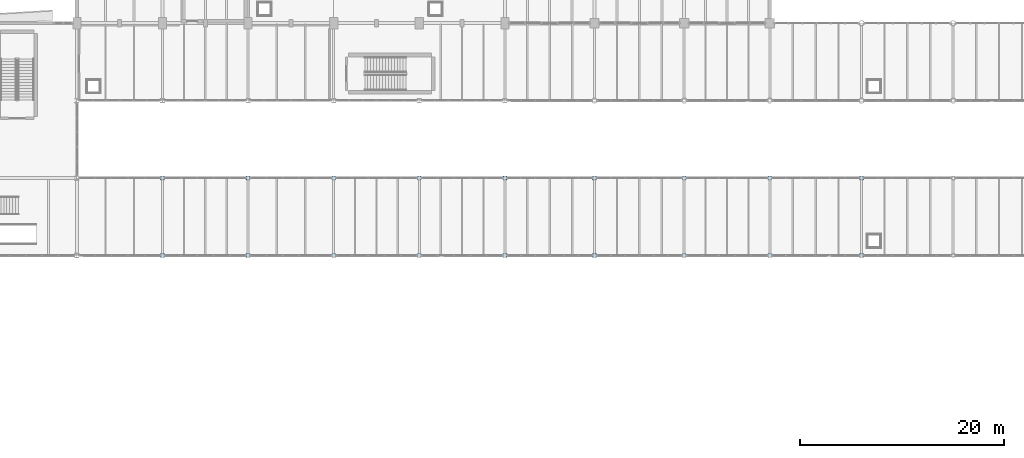
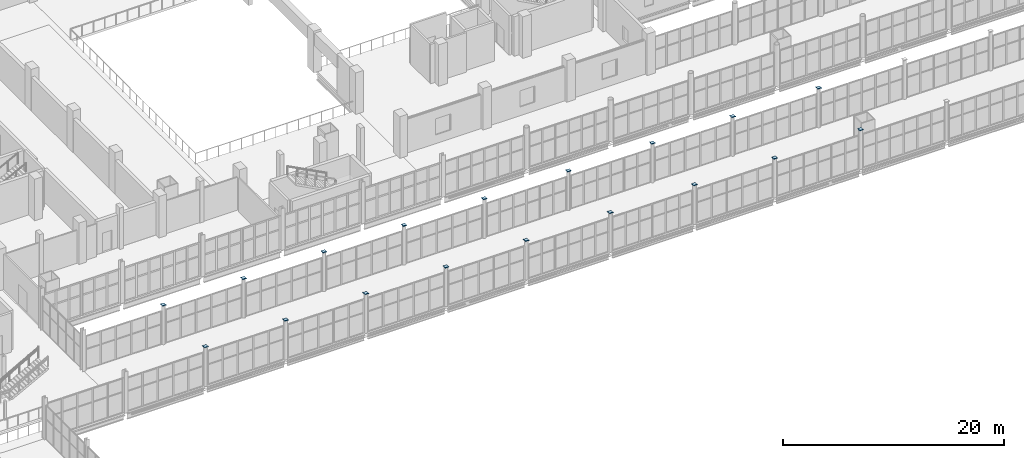
# One storey, part 144 of 172: 18 plates.
"""IFC4 building model written with IfcOpenShell, lengths in metres."""

from ifc_helpers import new_model, si_unit, direction, frame, origin, origin_2d, place, context, subcontext, project, spatial, rectangle, extrude, material, layer, layer_set, type_object, element, save


model = new_model("IFC4")

# Units and contexts
model_context = context("Model", 3, precision=1e-05, world=origin(), true_north=direction((0.0, 1.0)))
body_context = subcontext(model_context, "Body", "Model", "MODEL_VIEW")
ifc_project = project(units=[si_unit("LENGTHUNIT", "METRE"), si_unit("AREAUNIT", "SQUARE_METRE"), si_unit("VOLUMEUNIT", "CUBIC_METRE"), si_unit("PLANEANGLEUNIT", "RADIAN"), si_unit("MASSUNIT", "GRAM", prefix="KILO")], contexts=[model_context])

# Site, building, storey
site_placement = place(None, origin())
site = spatial("IfcSite", under=ifc_project, at=site_placement, CompositionType="ELEMENT")
building_placement = place(site_placement, origin())
building = spatial("IfcBuilding", under=site, at=building_placement, Name="Shengluoqiao Park Theatre", CompositionType="ELEMENT")
storey_placement = place(building_placement, frame((0.0, 0.0, 5.39990234375)))
storey = spatial("IfcBuildingStorey", under=building, at=storey_placement, Name="L01", CompositionType="ELEMENT", Elevation=5.39990234375)

# Plates
ifc_material = material(Name="Steel Q390", Category="steel")
ifc_layer = layer(ifc_material, 0.02392578125, Name="Steel Q390")
ifc_layer_set = layer_set([ifc_layer], Name="Steel Q390")
plate_type = type_object("IfcPlateType", Name="STR-PLT-EC-360", PredefinedType="SHEET", material=ifc_layer_set)
for number, where, z_axis, x_axis, name in (
    (1, (52.800048828125, 53.199951171875, 4.3291015625), (0.0, 0.0, 1.0), (1.0, 0.0, 0.0), "Hollow Column Top Cap Plate 00001"),
    (2, (52.800048828125, 60.800048828125, 4.3291015625), (0.0, 0.0, 1.0), (1.0, 0.0, 0.0), "Hollow Column Top Cap Plate 00002"),
    (3, (61.199951171875, 53.199951171875, 4.3291015625), (0.0, 0.0, 1.0), (1.0, 0.0, 0.0), "Hollow Column Top Cap Plate 00003"),
    (4, (61.199951171875, 60.800048828125, 4.3291015625), (0.0, 0.0, 1.0), (1.0, 0.0, 0.0), "Hollow Column Top Cap Plate 00004"),
    (5, (69.60009765625, 53.199951171875, 4.3291015625), (0.0, 0.0, 1.0), (1.0, 0.0, 0.0), "Hollow Column Top Cap Plate 00005"),
    (6, (69.60009765625, 60.800048828125, 4.3291015625), (0.0, 0.0, 1.0), (1.0, 0.0, 0.0), "Hollow Column Top Cap Plate 00006"),
    (7, (78.0, 53.199951171875, 4.3291015625), (0.0, 0.0, 1.0), (1.0, 0.0, 0.0), "Hollow Column Top Cap Plate 00007"),
    (8, (78.0, 60.800048828125, 4.3291015625), (0.0, 0.0, 1.0), (1.0, 0.0, 0.0), "Hollow Column Top Cap Plate 00008"),
    (9, (86.39990234375, 53.199951171875, 4.3291015625), (0.0, 0.0, 1.0), (1.0, 0.0, 0.0), "Hollow Column Top Cap Plate 00009"),
    (10, (86.39990234375, 60.800048828125, 4.3291015625), (0.0, 0.0, 1.0), (1.0, 0.0, 0.0), "Hollow Column Top Cap Plate 00010"),
    (11, (95.199951171875, 53.199951171875, 4.3291015625), (0.0, 0.0, 1.0), (1.0, 0.0, 0.0), "Hollow Column Top Cap Plate 00011"),
    (12, (95.199951171875, 60.800048828125, 4.3291015625), (0.0, 0.0, 1.0), (1.0, 0.0, 0.0), "Hollow Column Top Cap Plate 00012"),
    (13, (104.0, 53.199951171875, 4.3291015625), (0.0, 0.0, 1.0), (1.0, 0.0, 0.0), "Hollow Column Top Cap Plate 00014"),
    (14, (104.0, 60.800048828125, 4.3291015625), (0.0, 0.0, 1.0), (1.0, 0.0, 0.0), "Hollow Column Top Cap Plate 00015"),
    (15, (112.39990234375, 53.199951171875, 4.3291015625), (0.0, 0.0, 1.0), (1.0, 0.0, 0.0), "Hollow Column Top Cap Plate 00017"),
    (16, (112.39990234375, 60.800048828125, 4.3291015625), (0.0, 0.0, 1.0), (1.0, 0.0, 0.0), "Hollow Column Top Cap Plate 00018"),
    (17, (121.39990234375, 53.199951171875, 4.3291015625), (0.0, 0.0, 1.0), (1.0, 0.0, 0.0), "Hollow Column Top Cap Plate 00020"),
    (18, (121.39990234375, 60.800048828125, 4.3291015625), (0.0, 0.0, 1.0), (1.0, 0.0, 0.0), "Hollow Column Top Cap Plate 00021"),
):
    element("IfcPlate", number, at=place(storey_placement, frame(where, z_axis=z_axis, x_axis=x_axis)), inside=storey, type_object=plate_type, Name=name, PredefinedType="SHEET", context=body_context, shape_type="SweptSolid", body=[
        extrude(rectangle(XDim=0.3798828125, YDim=0.3798828125, at=origin_2d()), origin(), (0.0, 0.0, 1.0), 0.02392578125),
    ])

save(model, "model.ifc")
